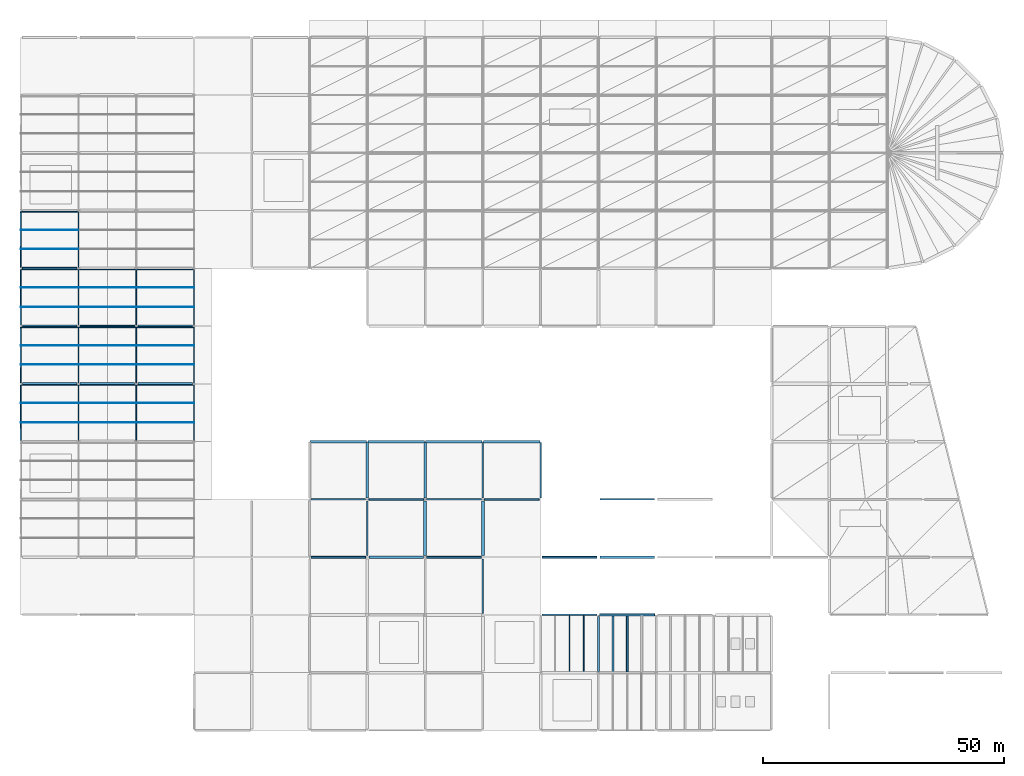
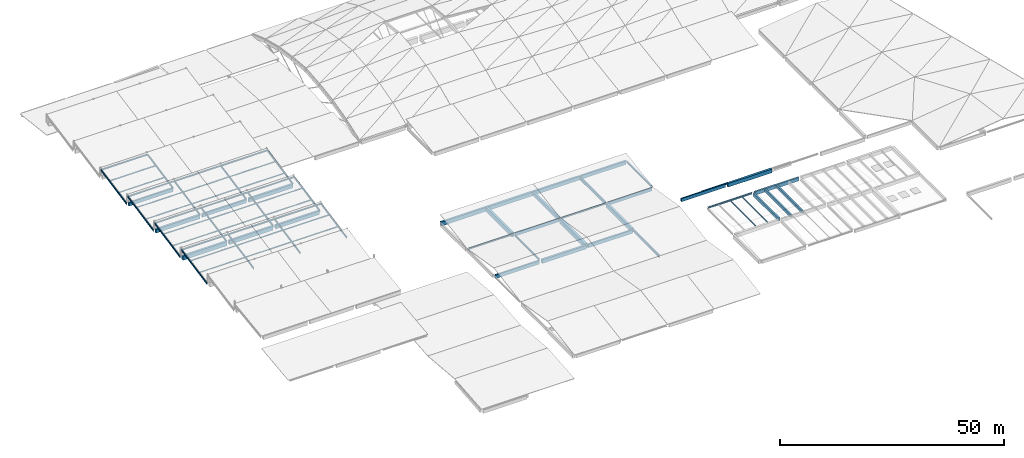
# One storey, part 8 of 23: 60 beams, 20 members.
"""IFC4 building model written with IfcOpenShell, lengths in metres."""

from ifc_helpers import new_model, si_unit, direction, frame, origin, origin_2d, place, context, subcontext, project, spatial, rectangle, i_section, extrude, material, material_profile, profile_set, type_object, element, save


model = new_model("IFC4")

# Units and contexts
model_context = context("Model", 3, precision=1e-05, world=origin(), true_north=direction((0.0, 1.0)))
body_context = subcontext(model_context, "Body", "Model", "MODEL_VIEW")
ifc_project = project(units=[si_unit("LENGTHUNIT", "METRE"), si_unit("AREAUNIT", "SQUARE_METRE"), si_unit("VOLUMEUNIT", "CUBIC_METRE"), si_unit("PLANEANGLEUNIT", "RADIAN"), si_unit("MASSUNIT", "GRAM", prefix="KILO")], contexts=[model_context])

# Site, building, storey
site_placement = place(None, origin())
site = spatial("IfcSite", under=ifc_project, at=site_placement, CompositionType="ELEMENT")
building_placement = place(site_placement, origin())
building = spatial("IfcBuilding", under=site, at=building_placement, Name="Kamomehara Wholesale Market", CompositionType="ELEMENT")
storey_placement = place(building_placement, frame((0.0, 0.0, 21.0)))
storey = spatial("IfcBuildingStorey", under=building, at=storey_placement, Name="RF", CompositionType="ELEMENT", Elevation=21.0)

# Beams
ifc_material_1 = material(Name="Precast concrete Fc45 (C40/50)", Category="concrete")
ifc_material_profile_1 = material_profile(ifc_material_1, rectangle(XDim=0.5, YDim=1.0, at=origin_2d()), Name="PC-GRD-500x1000")
ifc_profile_set_1 = profile_set([ifc_material_profile_1], Name="Precast concrete Fc45 (C40/50)")
beam_type_1 = type_object("IfcBeamType", Name="BM-PG1000", PredefinedType="T_BEAM", material=ifc_profile_set_1)
beam_1_placement = place(storey_placement, frame((84.0, 60.324951171875, -9.699951171875), z_axis=(0.0, 1.0, 0.0), x_axis=(-1.0, 0.0, 0.0)))
element("IfcBeam", 1, at=beam_1_placement, inside=storey, type_object=beam_type_1, Name="Beam PG-09 RF", PredefinedType="T_BEAM", context=body_context, shape_type="SweptSolid", body=[
    extrude(rectangle(XDim=0.5, YDim=1.0, at=origin_2d()), origin(), (0.0, 0.0, 1.0), 11.550048828125),
])
beam_2_placement = place(storey_placement, frame((84.125, 72.0, -9.699951171875), z_axis=(1.0, 0.0, 0.0), x_axis=(0.0, 1.0, 0.0)))
element("IfcBeam", 2, at=beam_2_placement, inside=storey, type_object=beam_type_1, Name="Beam PG-09 RF", PredefinedType="T_BEAM", context=body_context, shape_type="SweptSolid", body=[
    extrude(rectangle(XDim=0.5, YDim=1.0, at=origin_2d()), origin(), (0.0, 0.0, 1.0), 11.75),
])
beam_3_placement = place(storey_placement, frame((24.340087890625, 84.0, -5.300048828125), z_axis=(1.0, 0.0, 0.0), x_axis=(0.0, 1.0, 0.0)))
element("IfcBeam", 3, at=beam_3_placement, inside=storey, type_object=beam_type_1, Name="Beam PG-09 RF", PredefinedType="T_BEAM", context=body_context, shape_type="SweptSolid", body=[
    extrude(rectangle(XDim=0.5, YDim=1.0, at=origin_2d()), origin(), (0.0, 0.0, 1.0), 11.31982421875),
])
ifc_material_2 = material(Name="Precast concrete Fc45 (C40/50)", Category="concrete")
ifc_material_profile_2 = material_profile(ifc_material_2, rectangle(XDim=0.550048828125, YDim=1.050048828125, at=origin_2d()), Name="PC-GRD-550x1050")
ifc_profile_set_2 = profile_set([ifc_material_profile_2], Name="Precast concrete Fc45 (C40/50)")
beam_type_2 = type_object("IfcBeamType", Name="BM-PG1050", PredefinedType="T_BEAM", material=ifc_profile_set_2)
beam_4_placement = place(storey_placement, frame((72.125, 72.0, -9.72509765625), z_axis=(1.0, 0.0, 0.0), x_axis=(0.0, 1.0, 0.0)))
element("IfcBeam", 4, at=beam_4_placement, inside=storey, type_object=beam_type_2, Name="Beam PG-08 RF", PredefinedType="T_BEAM", context=body_context, shape_type="SweptSolid", body=[
    extrude(rectangle(XDim=0.550048828125, YDim=1.050048828125, at=origin_2d()), origin(), (0.0, 0.0, 1.0), 11.75),
])
ifc_material_3 = material(Name="Precast concrete Fc45 (C40/50)", Category="concrete")
ifc_material_profile_3 = material_profile(ifc_material_3, rectangle(XDim=0.52001953125, YDim=1.080078125, at=origin_2d()), Name="PC-GRD-520x1080")
ifc_profile_set_3 = profile_set([ifc_material_profile_3], Name="Precast concrete Fc45 (C40/50)")
beam_type_3 = type_object("IfcBeamType", Name="BM-PG1080", PredefinedType="T_BEAM", material=ifc_profile_set_3)
beam_5_placement = place(storey_placement, frame((60.125, 72.0, -9.739990234375), z_axis=(1.0, 0.0, 0.0), x_axis=(0.0, 1.0, 0.0)))
element("IfcBeam", 5, at=beam_5_placement, inside=storey, type_object=beam_type_3, Name="Beam PG-15 RF", PredefinedType="T_BEAM", context=body_context, shape_type="SweptSolid", body=[
    extrude(rectangle(XDim=0.52001953125, YDim=1.080078125, at=origin_2d()), origin(), (0.0, 0.0, 1.0), 11.75),
])
beam_6_placement = place(storey_placement, frame((12.340087890625, 84.0, -5.340087890625), z_axis=(1.0, 0.0, 0.0), x_axis=(0.0, 1.0, 0.0)))
element("IfcBeam", 6, at=beam_6_placement, inside=storey, type_object=beam_type_3, Name="Beam PG-15 RF", PredefinedType="T_BEAM", context=body_context, shape_type="SweptSolid", body=[
    extrude(rectangle(XDim=0.52001953125, YDim=1.080078125, at=origin_2d()), origin(), (0.0, 0.0, 1.0), 11.31982421875),
])
ifc_material_4 = material(Name="Precast concrete Fc45 (C40/50)", Category="concrete")
ifc_material_profile_4 = material_profile(ifc_material_4, rectangle(XDim=0.60009765625, YDim=1.10009765625, at=origin_2d()), Name="PC-GRD-600x1100")
ifc_profile_set_4 = profile_set([ifc_material_profile_4], Name="Precast concrete Fc45 (C40/50)")
beam_type_4 = type_object("IfcBeamType", Name="BM-PG1100", PredefinedType="T_BEAM", material=ifc_profile_set_4)
beam_7_placement = place(storey_placement, frame((96.0, 48.324951171875, -9.75), z_axis=(0.0, 1.0, 0.0), x_axis=(-1.0, 0.0, 0.0)))
element("IfcBeam", 7, at=beam_7_placement, inside=storey, type_object=beam_type_4, Name="Beam PG-07 RF", PredefinedType="T_BEAM", context=body_context, shape_type="SweptSolid", body=[
    extrude(rectangle(XDim=0.60009765625, YDim=1.10009765625, at=origin_2d()), origin(), (0.0, 0.0, 1.0), 11.35009765625),
])
ifc_material_5 = material(Name="Precast concrete Fc45 (C40/50)", Category="concrete")
ifc_material_profile_5 = material_profile(ifc_material_5, rectangle(XDim=0.550048828125, YDim=1.14990234375, at=origin_2d()), Name="PC-GRD-550x1150")
ifc_profile_set_5 = profile_set([ifc_material_profile_5], Name="Precast concrete Fc45 (C40/50)")
beam_type_5 = type_object("IfcBeamType", Name="BM-PG1150", PredefinedType="T_BEAM", material=ifc_profile_set_5)
beam_8_placement = place(storey_placement, frame((0.340087890625, 84.0, -5.375), z_axis=(1.0, 0.0, 0.0), x_axis=(0.0, 1.0, 0.0)))
element("IfcBeam", 8, at=beam_8_placement, inside=storey, type_object=beam_type_5, Name="Beam PG-06 RF", PredefinedType="T_BEAM", context=body_context, shape_type="SweptSolid", body=[
    extrude(rectangle(XDim=0.550048828125, YDim=1.14990234375, at=origin_2d()), origin(), (0.0, 0.0, 1.0), 11.31982421875),
])
ifc_material_6 = material(Name="Precast concrete Fc45 (C40/50)", Category="concrete")
ifc_material_profile_6 = material_profile(ifc_material_6, rectangle(XDim=0.60009765625, YDim=1.199951171875, at=origin_2d()), Name="PC-GRD-600x1200")
ifc_profile_set_6 = profile_set([ifc_material_profile_6], Name="Precast concrete Fc45 (C40/50)")
beam_type_6 = type_object("IfcBeamType", Name="BM-PG1200", PredefinedType="T_BEAM", material=ifc_profile_set_6)
beam_9_placement = place(storey_placement, frame((72.0, 60.324951171875, -9.800048828125), z_axis=(0.0, 1.0, 0.0), x_axis=(-1.0, 0.0, 0.0)))
element("IfcBeam", 9, at=beam_9_placement, inside=storey, type_object=beam_type_6, Name="Beam PG-05 RF", PredefinedType="T_BEAM", context=body_context, shape_type="SweptSolid", body=[
    extrude(rectangle(XDim=0.60009765625, YDim=1.199951171875, at=origin_2d()), origin(), (0.0, 0.0, 1.0), 11.550048828125),
])
ifc_material_7 = material(Name="Precast concrete Fc45 (C40/50)", Category="concrete")
ifc_material_profile_7 = material_profile(ifc_material_7, rectangle(XDim=0.64990234375, YDim=1.25, at=origin_2d()), Name="PC-GRD-650x1250")
ifc_profile_set_7 = profile_set([ifc_material_profile_7], Name="Precast concrete Fc45 (C40/50)")
beam_type_7 = type_object("IfcBeamType", Name="BM-PG1250", PredefinedType="T_BEAM", material=ifc_profile_set_7)
beam_10_placement = place(storey_placement, frame((84.0, 48.324951171875, -9.824951171875), z_axis=(0.0, 1.0, 0.0), x_axis=(-1.0, 0.0, 0.0)))
element("IfcBeam", 10, at=beam_10_placement, inside=storey, type_object=beam_type_7, Name="Beam PG-04 RF", PredefinedType="T_BEAM", context=body_context, shape_type="SweptSolid", body=[
    extrude(rectangle(XDim=0.64990234375, YDim=1.25, at=origin_2d()), origin(), (0.0, 0.0, 1.0), 11.35009765625),
])
ifc_material_8 = material(Name="Precast concrete Fc45 (C40/50)", Category="concrete")
ifc_material_profile_8 = material_profile(ifc_material_8, rectangle(XDim=0.449951171875, YDim=0.85009765625, at=origin_2d()), Name="PC-GRD-450x850")
ifc_profile_set_8 = profile_set([ifc_material_profile_8], Name="Precast concrete Fc45 (C40/50)")
beam_type_8 = type_object("IfcBeamType", Name="BM-PG850", PredefinedType="T_BEAM", material=ifc_profile_set_8)
beam_11_placement = place(storey_placement, frame((120.0, 24.2900390625, -0.64697265625), z_axis=(0.0, 1.0, 0.0), x_axis=(-1.0, 0.0, 0.0)))
element("IfcBeam", 11, at=beam_11_placement, inside=storey, type_object=beam_type_8, Name="Beam PG-11 RF", PredefinedType="T_BEAM", context=body_context, shape_type="SweptSolid", body=[
    extrude(rectangle(XDim=0.449951171875, YDim=0.85009765625, at=origin_2d()), origin(), (0.0, 0.0, 1.0), 11.419921875),
])
ifc_material_9 = material(Name="Precast concrete Fc45 (C40/50)", Category="concrete")
ifc_material_profile_9 = material_profile(ifc_material_9, rectangle(XDim=0.47998046875, YDim=0.949951171875, at=origin_2d()), Name="PC-GRD-480x950")
ifc_profile_set_9 = profile_set([ifc_material_profile_9], Name="Precast concrete Fc45 (C40/50)")
beam_type_9 = type_object("IfcBeamType", Name="BM-PG950", PredefinedType="T_BEAM", material=ifc_profile_set_9)
beam_12_placement = place(storey_placement, frame((96.125, 72.0, -9.675048828125), z_axis=(1.0, 0.0, 0.0), x_axis=(0.0, 1.0, 0.0)))
element("IfcBeam", 12, at=beam_12_placement, inside=storey, type_object=beam_type_9, Name="Beam PG-16 RF", PredefinedType="T_BEAM", context=body_context, shape_type="SweptSolid", body=[
    extrude(rectangle(XDim=0.47998046875, YDim=0.949951171875, at=origin_2d()), origin(), (0.0, 0.0, 1.0), 11.75),
])
ifc_material_10 = material(Name="Precast concrete Fc45 (C40/50)", Category="concrete")
ifc_material_profile_10 = material_profile(ifc_material_10, rectangle(XDim=0.39990234375, YDim=0.800048828125, at=origin_2d()), Name="PC-JST-400x800")
ifc_profile_set_10 = profile_set([ifc_material_profile_10], Name="Precast concrete Fc45 (C40/50)")
beam_type_10 = type_object("IfcBeamType", Name="BM-PJ800", PredefinedType="JOIST", material=ifc_profile_set_10)
beam_13_placement = place(storey_placement, frame((126.0, 24.199951171875, -0.6220703125), z_axis=(0.0, 1.0, 0.0), x_axis=(-1.0, 0.0, 0.0)))
element("IfcBeam", 13, at=beam_13_placement, inside=storey, type_object=beam_type_10, Name="Beam PJ-01 RF", PredefinedType="JOIST", context=body_context, shape_type="SweptSolid", body=[
    extrude(rectangle(XDim=0.39990234375, YDim=0.800048828125, at=origin_2d()), origin(), (0.0, 0.0, 1.0), 11.60009765625),
])
ifc_material_11 = material(Name="Precast concrete Fc45 (C40/50)", Category="concrete")
ifc_material_profile_11 = material_profile(ifc_material_11, rectangle(XDim=0.419921875, YDim=0.840087890625, at=origin_2d()), Name="PC-JST-420x840")
ifc_profile_set_11 = profile_set([ifc_material_profile_11], Name="Precast concrete Fc45 (C40/50)")
beam_type_11 = type_object("IfcBeamType", Name="BM-PJ840", PredefinedType="JOIST", material=ifc_profile_set_11)
beam_14_placement = place(storey_placement, frame((123.0, 24.199951171875, -0.64208984375), z_axis=(0.0, 1.0, 0.0), x_axis=(-1.0, 0.0, 0.0)))
element("IfcBeam", 14, at=beam_14_placement, inside=storey, type_object=beam_type_11, Name="Beam PJ-07 RF", PredefinedType="JOIST", context=body_context, shape_type="SweptSolid", body=[
    extrude(rectangle(XDim=0.419921875, YDim=0.840087890625, at=origin_2d()), origin(), (0.0, 0.0, 1.0), 11.60009765625),
])
ifc_material_12 = material(Name="Concrete Fc36 (C35/45)", Category="concrete")
ifc_material_profile_12 = material_profile(ifc_material_12, rectangle(XDim=0.550048828125, YDim=1.0, at=origin_2d()), Name="RC-SEB-550x1000")
ifc_profile_set_12 = profile_set([ifc_material_profile_12], Name="Concrete Fc36 (C35/45)")
beam_type_12 = type_object("IfcBeamType", Name="BM-SEB1000-EXT", PredefinedType="SPANDREL", material=ifc_profile_set_12)
for number, where, z_axis, x_axis, name in (
    (15, (72.324951171875, 48.0, -9.699951171875), (1.0, 0.0, 0.0), (0.0, 1.0, 0.0), "Beam SEB-03E RF"),
    (16, (120.324951171875, 48.0, -5.64697265625), (1.0, 0.0, 0.0), (0.0, 1.0, 0.0), "Beam SEB-03E RF"),
):
    element("IfcBeam", number, at=place(storey_placement, frame(where, z_axis=z_axis, x_axis=x_axis)), inside=storey, type_object=beam_type_12, Name=name, PredefinedType="SPANDREL", context=body_context, shape_type="SweptSolid", body=[
        extrude(rectangle(XDim=0.550048828125, YDim=1.0, at=origin_2d()), origin(), (0.0, 0.0, 1.0), 11.35009765625),
    ])
for number, where, z_axis, x_axis, name in (
    (17, (0.340087890625, 96.0, -5.300048828125), (1.0, 0.0, 0.0), (0.0, 1.0, 0.0), "Beam SEB-03E RF"),
    (18, (24.340087890625, 96.0, -5.300048828125), (1.0, 0.0, 0.0), (0.0, 1.0, 0.0), "Beam SEB-03E RF"),
):
    element("IfcBeam", number, at=place(storey_placement, frame(where, z_axis=z_axis, x_axis=x_axis)), inside=storey, type_object=beam_type_12, Name=name, PredefinedType="SPANDREL", context=body_context, shape_type="SweptSolid", body=[
        extrude(rectangle(XDim=0.550048828125, YDim=1.0, at=origin_2d()), origin(), (0.0, 0.0, 1.0), 11.31982421875),
    ])
ifc_material_13 = material(Name="Precast concrete Fc45 (C40/50)", Category="concrete")
ifc_material_profile_13 = material_profile(ifc_material_13, rectangle(XDim=0.35009765625, YDim=0.85009765625, at=origin_2d()), Name="PC-SPN-350x850")
ifc_profile_set_13 = profile_set([ifc_material_profile_13], Name="Precast concrete Fc45 (C40/50)")
beam_type_13 = type_object("IfcBeamType", Name="BM-SPN850-EXT", PredefinedType="SPANDREL", material=ifc_profile_set_13)
for number, where, z_axis, x_axis, name in (
    (19, (72.324951171875, 60.0, -9.625), (1.0, 0.0, 0.0), (0.0, 1.0, 0.0), "Beam SPN-02E RF"),
    (20, (96.324951171875, 60.0, -9.625), (1.0, 0.0, 0.0), (0.0, 1.0, 0.0), "Beam SPN-02E RF"),
    (21, (108.324951171875, 48.0, -5.572021484375), (1.0, 0.0, 0.0), (0.0, 1.0, 0.0), "Beam SPN-02E RF"),
):
    element("IfcBeam", number, at=place(storey_placement, frame(where, z_axis=z_axis, x_axis=x_axis)), inside=storey, type_object=beam_type_13, Name=name, PredefinedType="SPANDREL", context=body_context, shape_type="SweptSolid", body=[
        extrude(rectangle(XDim=0.35009765625, YDim=0.85009765625, at=origin_2d()), origin(), (0.0, 0.0, 1.0), 11.35009765625),
    ])
ifc_material_14 = material(Name="Precast concrete Fc45 (C40/50)", Category="concrete")
ifc_material_profile_14 = material_profile(ifc_material_14, rectangle(XDim=0.39990234375, YDim=0.949951171875, at=origin_2d()), Name="PC-SPN-400x950")
ifc_profile_set_14 = profile_set([ifc_material_profile_14], Name="Precast concrete Fc45 (C40/50)")
beam_type_14 = type_object("IfcBeamType", Name="BM-SPN950-EXT", PredefinedType="SPANDREL", material=ifc_profile_set_14)
for number, where, z_axis, x_axis, name in (
    (22, (60.324951171875, 48.0, -9.675048828125), (1.0, 0.0, 0.0), (0.0, 1.0, 0.0), "Beam SPN-01E RF"),
    (23, (84.324951171875, 48.0, -9.675048828125), (1.0, 0.0, 0.0), (0.0, 1.0, 0.0), "Beam SPN-01E RF"),
):
    element("IfcBeam", number, at=place(storey_placement, frame(where, z_axis=z_axis, x_axis=x_axis)), inside=storey, type_object=beam_type_14, Name=name, PredefinedType="SPANDREL", context=body_context, shape_type="SweptSolid", body=[
        extrude(rectangle(XDim=0.39990234375, YDim=0.949951171875, at=origin_2d()), origin(), (0.0, 0.0, 1.0), 11.35009765625),
    ])
for number, where, z_axis, x_axis, name in (
    (24, (12.340087890625, 96.0, -5.27490234375), (1.0, 0.0, 0.0), (0.0, 1.0, 0.0), "Beam SPN-01E RF"),
    (25, (0.340087890625, 108.0, -5.27490234375), (1.0, 0.0, 0.0), (0.0, 1.0, 0.0), "Beam SPN-01E RF"),
):
    element("IfcBeam", number, at=place(storey_placement, frame(where, z_axis=z_axis, x_axis=x_axis)), inside=storey, type_object=beam_type_14, Name=name, PredefinedType="SPANDREL", context=body_context, shape_type="SweptSolid", body=[
        extrude(rectangle(XDim=0.39990234375, YDim=0.949951171875, at=origin_2d()), origin(), (0.0, 0.0, 1.0), 11.31982421875),
    ])
beam_15_placement = place(storey_placement, frame((120.2900390625, 36.0, -0.697021484375), z_axis=(1.0, 0.0, 0.0), x_axis=(0.0, 1.0, 0.0)))
element("IfcBeam", 26, at=beam_15_placement, inside=storey, type_object=beam_type_14, Name="Beam SPN-01E RF", PredefinedType="SPANDREL", context=body_context, shape_type="SweptSolid", body=[
    extrude(rectangle(XDim=0.39990234375, YDim=0.949951171875, at=origin_2d()), origin(), (0.0, 0.0, 1.0), 11.419921875),
])
ifc_material_15 = material(Name="Steel SN400B", Category="steel")
ifc_material_profile_15 = material_profile(ifc_material_15, i_section(OverallWidth=0.199951171875, OverallDepth=0.2939453125, WebThickness=0.008056640625, FlangeThickness=0.011962890625, FilletRadius=0.012939453125, at=origin_2d()), Name="H-294x200x8x12")
ifc_profile_set_15 = profile_set([ifc_material_profile_15], Name="Steel SN400B")
beam_type_15 = type_object("IfcBeamType", Name="BM-ST-H294", PredefinedType="JOIST", material=ifc_profile_set_15)
beam_16_placement = place(storey_placement, frame((117.0, 24.27490234375, -0.368896484375), z_axis=(0.0, 1.0, 0.0), x_axis=(-1.0, 0.0, 0.0)))
element("IfcBeam", 27, at=beam_16_placement, inside=storey, type_object=beam_type_15, Name="Beam SJ-09 RF", PredefinedType="JOIST", context=body_context, shape_type="SweptSolid", body=[
    extrude(i_section(OverallWidth=0.199951171875, OverallDepth=0.2939453125, WebThickness=0.008056640625, FlangeThickness=0.011962890625, FilletRadius=0.012939453125, at=origin_2d()), origin(), (0.0, 0.0, 1.0), 11.5751953125),
])
ifc_material_16 = material(Name="Steel SN400B", Category="steel")
ifc_material_profile_16 = material_profile(ifc_material_16, i_section(OverallWidth=0.14990234375, OverallDepth=0.300048828125, WebThickness=0.006591796875, FlangeThickness=0.009033203125, FilletRadius=0.012939453125, at=origin_2d()), Name="H-300x150x6.5x9")
ifc_profile_set_16 = profile_set([ifc_material_profile_16], Name="Steel SN400B")
beam_type_16 = type_object("IfcBeamType", Name="BM-ST-H300", PredefinedType="JOIST", material=ifc_profile_set_16)
beam_17_placement = place(storey_placement, frame((0.0, 83.77001953125, -2.9599609375), z_axis=(1.0, 0.0, 0.0), x_axis=(0.0, 1.0, 0.0)))
element("IfcBeam", 28, at=beam_17_placement, inside=storey, type_object=beam_type_16, Name="Monitor steel ridge beam V3 3.1", PredefinedType="JOIST", context=body_context, shape_type="SweptSolid", body=[
    extrude(i_section(OverallWidth=0.14990234375, OverallDepth=0.300048828125, WebThickness=0.006591796875, FlangeThickness=0.009033203125, FilletRadius=0.012939453125, at=origin_2d()), origin(), (0.0, 0.0, 1.0), 11.97998046875),
])
beam_18_placement = place(storey_placement, frame((12.02001953125, 83.77001953125, -2.9599609375), z_axis=(1.0, 0.0, 0.0), x_axis=(0.0, 1.0, 0.0)))
element("IfcBeam", 29, at=beam_18_placement, inside=storey, type_object=beam_type_16, Name="Monitor steel ridge beam V3 3.2", PredefinedType="JOIST", context=body_context, shape_type="SweptSolid", body=[
    extrude(i_section(OverallWidth=0.14990234375, OverallDepth=0.300048828125, WebThickness=0.006591796875, FlangeThickness=0.009033203125, FilletRadius=0.012939453125, at=origin_2d()), origin(), (0.0, 0.0, 1.0), 11.9599609375),
])
for number, where, z_axis, x_axis, name in (
    (30, (24.02001953125, 83.77001953125, -2.9599609375), (1.0, 0.0, 0.0), (0.0, 1.0, 0.0), "Monitor steel ridge beam V3 3.3"),
    (31, (0.0, 95.77001953125, -2.9599609375), (1.0, 0.0, 0.0), (0.0, 1.0, 0.0), "Monitor steel ridge beam V3 4.1"),
):
    element("IfcBeam", number, at=place(storey_placement, frame(where, z_axis=z_axis, x_axis=x_axis)), inside=storey, type_object=beam_type_16, Name=name, PredefinedType="JOIST", context=body_context, shape_type="SweptSolid", body=[
        extrude(i_section(OverallWidth=0.14990234375, OverallDepth=0.300048828125, WebThickness=0.006591796875, FlangeThickness=0.009033203125, FilletRadius=0.012939453125, at=origin_2d()), origin(), (0.0, 0.0, 1.0), 11.97998046875),
    ])
beam_19_placement = place(storey_placement, frame((12.02001953125, 95.77001953125, -2.9599609375), z_axis=(1.0, 0.0, 0.0), x_axis=(0.0, 1.0, 0.0)))
element("IfcBeam", 32, at=beam_19_placement, inside=storey, type_object=beam_type_16, Name="Monitor steel ridge beam V3 4.2", PredefinedType="JOIST", context=body_context, shape_type="SweptSolid", body=[
    extrude(i_section(OverallWidth=0.14990234375, OverallDepth=0.300048828125, WebThickness=0.006591796875, FlangeThickness=0.009033203125, FilletRadius=0.012939453125, at=origin_2d()), origin(), (0.0, 0.0, 1.0), 11.9599609375),
])
for number, where, z_axis, x_axis, name in (
    (33, (24.02001953125, 95.77001953125, -2.9599609375), (1.0, 0.0, 0.0), (0.0, 1.0, 0.0), "Monitor steel ridge beam V3 4.3"),
    (34, (0.0, 107.77001953125, -2.9599609375), (1.0, 0.0, 0.0), (0.0, 1.0, 0.0), "Monitor steel ridge beam V3 5.1"),
):
    element("IfcBeam", number, at=place(storey_placement, frame(where, z_axis=z_axis, x_axis=x_axis)), inside=storey, type_object=beam_type_16, Name=name, PredefinedType="JOIST", context=body_context, shape_type="SweptSolid", body=[
        extrude(i_section(OverallWidth=0.14990234375, OverallDepth=0.300048828125, WebThickness=0.006591796875, FlangeThickness=0.009033203125, FilletRadius=0.012939453125, at=origin_2d()), origin(), (0.0, 0.0, 1.0), 11.97998046875),
    ])
beam_20_placement = place(storey_placement, frame((12.02001953125, 107.77001953125, -2.9599609375), z_axis=(1.0, 0.0, 0.0), x_axis=(0.0, 1.0, 0.0)))
element("IfcBeam", 35, at=beam_20_placement, inside=storey, type_object=beam_type_16, Name="Monitor steel ridge beam V3 5.2", PredefinedType="JOIST", context=body_context, shape_type="SweptSolid", body=[
    extrude(i_section(OverallWidth=0.14990234375, OverallDepth=0.300048828125, WebThickness=0.006591796875, FlangeThickness=0.009033203125, FilletRadius=0.012939453125, at=origin_2d()), origin(), (0.0, 0.0, 1.0), 11.9599609375),
])
for number, where, z_axis, x_axis, name in (
    (36, (24.02001953125, 107.77001953125, -2.9599609375), (1.0, 0.0, 0.0), (0.0, 1.0, 0.0), "Monitor steel ridge beam V3 5.3"),
    (37, (0.0, 119.77001953125, -2.9599609375), (1.0, 0.0, 0.0), (0.0, 1.0, 0.0), "Monitor steel ridge beam V3 6.1"),
):
    element("IfcBeam", number, at=place(storey_placement, frame(where, z_axis=z_axis, x_axis=x_axis)), inside=storey, type_object=beam_type_16, Name=name, PredefinedType="JOIST", context=body_context, shape_type="SweptSolid", body=[
        extrude(i_section(OverallWidth=0.14990234375, OverallDepth=0.300048828125, WebThickness=0.006591796875, FlangeThickness=0.009033203125, FilletRadius=0.012939453125, at=origin_2d()), origin(), (0.0, 0.0, 1.0), 11.97998046875),
    ])
beam_21_placement = place(storey_placement, frame((114.0, 24.27490234375, -0.3720703125), z_axis=(0.0, 1.0, 0.0), x_axis=(-1.0, 0.0, 0.0)))
element("IfcBeam", 38, at=beam_21_placement, inside=storey, type_object=beam_type_16, Name="Beam SJ-05 RF", PredefinedType="JOIST", context=body_context, shape_type="SweptSolid", body=[
    extrude(i_section(OverallWidth=0.14990234375, OverallDepth=0.300048828125, WebThickness=0.006591796875, FlangeThickness=0.009033203125, FilletRadius=0.012939453125, at=origin_2d()), origin(), (0.0, 0.0, 1.0), 11.5751953125),
])
ifc_material_17 = material(Name="Steel SN490B", Category="steel")
ifc_material_profile_17 = material_profile(ifc_material_17, i_section(OverallWidth=0.300048828125, OverallDepth=0.389892578125, WebThickness=0.010009765625, FlangeThickness=0.01611328125, FilletRadius=0.01806640625, at=origin_2d()), Name="H-390x300x10x16")
ifc_profile_set_17 = profile_set([ifc_material_profile_17], Name="Steel SN490B")
beam_type_17 = type_object("IfcBeamType", Name="BM-ST-H390-EXT", PredefinedType="SPANDREL", material=ifc_profile_set_17)
beam_22_placement = place(storey_placement, frame((120.375, 60.0, -14.94189453125), z_axis=(1.0, 0.0, 0.0), x_axis=(0.0, 1.0, 0.0)))
element("IfcBeam", 39, at=beam_22_placement, inside=storey, type_object=beam_type_17, Name="Beam SJ-03E RF", PredefinedType="SPANDREL", context=body_context, shape_type="SweptSolid", body=[
    extrude(i_section(OverallWidth=0.300048828125, OverallDepth=0.389892578125, WebThickness=0.010009765625, FlangeThickness=0.01611328125, FilletRadius=0.01806640625, at=origin_2d()), origin(), (0.0, 0.0, 1.0), 11.25),
])
for number, where, z_axis, x_axis, name in (
    (40, (60.324951171875, 60.0, -9.39501953125), (1.0, 0.0, 0.0), (0.0, 1.0, 0.0), "Beam SJ-03E RF"),
    (41, (84.324951171875, 60.0, -9.39501953125), (1.0, 0.0, 0.0), (0.0, 1.0, 0.0), "Beam SJ-03E RF"),
):
    element("IfcBeam", number, at=place(storey_placement, frame(where, z_axis=z_axis, x_axis=x_axis)), inside=storey, type_object=beam_type_17, Name=name, PredefinedType="SPANDREL", context=body_context, shape_type="SweptSolid", body=[
        extrude(i_section(OverallWidth=0.300048828125, OverallDepth=0.389892578125, WebThickness=0.010009765625, FlangeThickness=0.01611328125, FilletRadius=0.01806640625, at=origin_2d()), origin(), (0.0, 0.0, 1.0), 11.35009765625),
    ])
beam_23_placement = place(storey_placement, frame((108.0, 60.324951171875, -9.39501953125), z_axis=(0.0, 1.0, 0.0), x_axis=(-1.0, 0.0, 0.0)))
element("IfcBeam", 42, at=beam_23_placement, inside=storey, type_object=beam_type_17, Name="Beam SJ-03E RF", PredefinedType="SPANDREL", context=body_context, shape_type="SweptSolid", body=[
    extrude(i_section(OverallWidth=0.300048828125, OverallDepth=0.389892578125, WebThickness=0.010009765625, FlangeThickness=0.01611328125, FilletRadius=0.01806640625, at=origin_2d()), origin(), (0.0, 0.0, 1.0), 11.550048828125),
])
beam_24_placement = place(storey_placement, frame((108.2900390625, 36.0, -0.4169921875), z_axis=(1.0, 0.0, 0.0), x_axis=(0.0, 1.0, 0.0)))
element("IfcBeam", 43, at=beam_24_placement, inside=storey, type_object=beam_type_17, Name="Beam SJ-03E RF", PredefinedType="SPANDREL", context=body_context, shape_type="SweptSolid", body=[
    extrude(i_section(OverallWidth=0.300048828125, OverallDepth=0.389892578125, WebThickness=0.010009765625, FlangeThickness=0.01611328125, FilletRadius=0.01806640625, at=origin_2d()), origin(), (0.0, 0.0, 1.0), 11.419921875),
])
ifc_material_18 = material(Name="Steel SN490B", Category="steel")
ifc_material_profile_18 = material_profile(ifc_material_18, i_section(OverallWidth=0.300048828125, OverallDepth=0.43994140625, WebThickness=0.010986328125, FlangeThickness=0.01806640625, FilletRadius=0.01806640625, at=origin_2d()), Name="H-440x300x11x18")
ifc_profile_set_18 = profile_set([ifc_material_profile_18], Name="Steel SN490B")
beam_type_18 = type_object("IfcBeamType", Name="BM-ST-H440", PredefinedType="BEAM", material=ifc_profile_set_18)
beam_25_placement = place(storey_placement, frame((72.0, 48.324951171875, -9.419921875), z_axis=(0.0, 1.0, 0.0), x_axis=(-1.0, 0.0, 0.0)))
element("IfcBeam", 44, at=beam_25_placement, inside=storey, type_object=beam_type_18, Name="Beam SG-11 RF", PredefinedType="BEAM", context=body_context, shape_type="SweptSolid", body=[
    extrude(i_section(OverallWidth=0.300048828125, OverallDepth=0.43994140625, WebThickness=0.010986328125, FlangeThickness=0.01806640625, FilletRadius=0.01806640625, at=origin_2d()), origin(), (0.0, 0.0, 1.0), 11.35009765625),
])
ifc_material_19 = material(Name="Steel SN490B", Category="steel")
ifc_material_profile_19 = material_profile(ifc_material_19, i_section(OverallWidth=0.199951171875, OverallDepth=0.5, WebThickness=0.010009765625, FlangeThickness=0.01611328125, FilletRadius=0.012939453125, at=origin_2d()), Name="H-500x200x10x16")
ifc_profile_set_19 = profile_set([ifc_material_profile_19], Name="Steel SN490B")
beam_type_19 = type_object("IfcBeamType", Name="BM-ST-H500", PredefinedType="BEAM", material=ifc_profile_set_19)
for number, where, z_axis, x_axis, name in (
    (45, (0.0, 72.199951171875, -5.260009765625), (0.0, 0.980514052437, 0.19644895768), (-1.0, 0.0, 0.0), "Monitor steel rafter V3 3.0"),
    (46, (12.0, 72.199951171875, -5.260009765625), (0.0, 0.980514052437, 0.19644895768), (-1.0, 0.0, 0.0), "Monitor steel rafter V3 3.12"),
    (47, (24.0, 72.199951171875, -5.260009765625), (0.0, 0.980514052437, 0.19644895768), (-1.0, 0.0, 0.0), "Monitor steel rafter V3 3.24"),
    (48, (36.0, 72.199951171875, -5.260009765625), (0.0, 0.980514052437, 0.19644895768), (-1.0, 0.0, 0.0), "Monitor steel rafter V3 3.36"),
    (49, (0.0, 84.199951171875, -5.260009765625), (0.0, 0.980514052437, 0.19644895768), (-1.0, 0.0, 0.0), "Monitor steel rafter V3 4.0"),
    (50, (12.0, 84.199951171875, -5.260009765625), (0.0, 0.980514052437, 0.19644895768), (-1.0, 0.0, 0.0), "Monitor steel rafter V3 4.12"),
    (51, (24.0, 84.199951171875, -5.260009765625), (0.0, 0.980514052437, 0.19644895768), (-1.0, 0.0, 0.0), "Monitor steel rafter V3 4.24"),
    (52, (36.0, 84.199951171875, -5.260009765625), (0.0, 0.980514052437, 0.19644895768), (-1.0, 0.0, 0.0), "Monitor steel rafter V3 4.36"),
    (53, (0.0, 96.199951171875, -5.260009765625), (0.0, 0.980514052437, 0.19644895768), (-1.0, 0.0, 0.0), "Monitor steel rafter V3 5.0"),
    (54, (12.0, 96.199951171875, -5.260009765625), (0.0, 0.980514052437, 0.19644895768), (-1.0, 0.0, 0.0), "Monitor steel rafter V3 5.12"),
    (55, (24.0, 96.199951171875, -5.260009765625), (0.0, 0.980514052437, 0.19644895768), (-1.0, 0.0, 0.0), "Monitor steel rafter V3 5.24"),
    (56, (36.0, 96.199951171875, -5.260009765625), (0.0, 0.980514052437, 0.19644895768), (-1.0, 0.0, 0.0), "Monitor steel rafter V3 5.36"),
    (57, (0.0, 108.199951171875, -5.260009765625), (0.0, 0.980514052437, 0.19644895768), (-1.0, 0.0, 0.0), "Monitor steel rafter V3 6.0"),
    (58, (12.0, 108.199951171875, -5.260009765625), (0.0, 0.980514052437, 0.19644895768), (-1.0, 0.0, 0.0), "Monitor steel rafter V3 6.12"),
):
    element("IfcBeam", number, at=place(storey_placement, frame(where, z_axis=z_axis, x_axis=x_axis)), inside=storey, type_object=beam_type_19, Name=name, PredefinedType="BEAM", context=body_context, shape_type="SweptSolid", body=[
        extrude(i_section(OverallWidth=0.199951171875, OverallDepth=0.5, WebThickness=0.010009765625, FlangeThickness=0.01611328125, FilletRadius=0.012939453125, at=origin_2d()), origin(), (0.0, 0.0, 1.0), 11.7080078125),
    ])
ifc_material_20 = material(Name="Steel SN490B", Category="steel")
ifc_material_profile_20 = material_profile(ifc_material_20, i_section(OverallWidth=0.300048828125, OverallDepth=0.699951171875, WebThickness=0.012939453125, FlangeThickness=0.02392578125, FilletRadius=0.02197265625, at=origin_2d()), Name="H-700x300x13x24")
ifc_profile_set_20 = profile_set([ifc_material_profile_20], Name="Steel SN490B")
beam_type_20 = type_object("IfcBeamType", Name="BM-ST-H700", PredefinedType="BEAM", material=ifc_profile_set_20)
beam_26_placement = place(storey_placement, frame((96.0, 36.324951171875, -9.550048828125), z_axis=(0.0, 1.0, 0.0), x_axis=(-1.0, 0.0, 0.0)))
element("IfcBeam", 59, at=beam_26_placement, inside=storey, type_object=beam_type_20, Name="Beam SG-03 RF", PredefinedType="BEAM", context=body_context, shape_type="SweptSolid", body=[
    extrude(i_section(OverallWidth=0.300048828125, OverallDepth=0.699951171875, WebThickness=0.012939453125, FlangeThickness=0.02392578125, FilletRadius=0.02197265625, at=origin_2d()), origin(), (0.0, 0.0, 1.0), 11.35009765625),
])
ifc_material_21 = material(Name="Steel SN490B", Category="steel")
ifc_material_profile_21 = material_profile(ifc_material_21, i_section(OverallWidth=0.300048828125, OverallDepth=0.89990234375, WebThickness=0.01611328125, FlangeThickness=0.028076171875, FilletRadius=0.02392578125, at=origin_2d()), Name="H-900x300x16x28")
ifc_profile_set_21 = profile_set([ifc_material_profile_21], Name="Steel SN490B")
beam_type_21 = type_object("IfcBeamType", Name="BM-ST-H900", PredefinedType="BEAM", material=ifc_profile_set_21)
beam_27_placement = place(storey_placement, frame((96.0, 60.324951171875, -9.64990234375), z_axis=(0.0, 1.0, 0.0), x_axis=(-1.0, 0.0, 0.0)))
element("IfcBeam", 60, at=beam_27_placement, inside=storey, type_object=beam_type_21, Name="Beam SG-01 RF", PredefinedType="BEAM", context=body_context, shape_type="SweptSolid", body=[
    extrude(i_section(OverallWidth=0.300048828125, OverallDepth=0.89990234375, WebThickness=0.01611328125, FlangeThickness=0.028076171875, FilletRadius=0.02392578125, at=origin_2d()), origin(), (0.0, 0.0, 1.0), 11.550048828125),
])

# Members
ifc_material_22 = material(Name="Steel SN400B", Category="steel")
ifc_material_profile_22 = material_profile(ifc_material_22, i_section(OverallWidth=0.10009765625, OverallDepth=0.199951171875, WebThickness=0.005615234375, FlangeThickness=0.008056640625, FilletRadius=0.008056640625, at=origin_2d()), Name="H-200x100x5.5x8")
ifc_profile_set_22 = profile_set([ifc_material_profile_22], Name="Steel SN400B")
member_type = type_object("IfcMemberType", Name="MEM-PR-H200", PredefinedType="PURLIN", material=ifc_profile_set_22)
for number, where, z_axis, x_axis, name in (
    (61, (0.0, 76.0, -4.472900390625), (1.0, 0.0, 0.0), (0.0, 1.0, 0.0), "Monitor steel purlin V3 3.1.0"),
    (62, (12.0, 76.0, -4.472900390625), (1.0, 0.0, 0.0), (0.0, 1.0, 0.0), "Monitor steel purlin V3 3.1.12"),
    (63, (24.0, 76.0, -4.472900390625), (1.0, 0.0, 0.0), (0.0, 1.0, 0.0), "Monitor steel purlin V3 3.1.24"),
    (64, (0.0, 80.0, -3.70703125), (1.0, 0.0, 0.0), (0.0, 1.0, 0.0), "Monitor steel purlin V3 3.2.0"),
    (65, (12.0, 80.0, -3.70703125), (1.0, 0.0, 0.0), (0.0, 1.0, 0.0), "Monitor steel purlin V3 3.2.12"),
    (66, (24.0, 80.0, -3.70703125), (1.0, 0.0, 0.0), (0.0, 1.0, 0.0), "Monitor steel purlin V3 3.2.24"),
    (67, (0.0, 88.0, -4.472900390625), (1.0, 0.0, 0.0), (0.0, 1.0, 0.0), "Monitor steel purlin V3 4.1.0"),
    (68, (12.0, 88.0, -4.472900390625), (1.0, 0.0, 0.0), (0.0, 1.0, 0.0), "Monitor steel purlin V3 4.1.12"),
    (69, (24.0, 88.0, -4.472900390625), (1.0, 0.0, 0.0), (0.0, 1.0, 0.0), "Monitor steel purlin V3 4.1.24"),
    (70, (0.0, 92.0, -3.70703125), (1.0, 0.0, 0.0), (0.0, 1.0, 0.0), "Monitor steel purlin V3 4.2.0"),
    (71, (12.0, 92.0, -3.70703125), (1.0, 0.0, 0.0), (0.0, 1.0, 0.0), "Monitor steel purlin V3 4.2.12"),
    (72, (24.0, 92.0, -3.70703125), (1.0, 0.0, 0.0), (0.0, 1.0, 0.0), "Monitor steel purlin V3 4.2.24"),
    (73, (0.0, 100.0, -4.472900390625), (1.0, 0.0, 0.0), (0.0, 1.0, 0.0), "Monitor steel purlin V3 5.1.0"),
    (74, (12.0, 100.0, -4.472900390625), (1.0, 0.0, 0.0), (0.0, 1.0, 0.0), "Monitor steel purlin V3 5.1.12"),
    (75, (24.0, 100.0, -4.472900390625), (1.0, 0.0, 0.0), (0.0, 1.0, 0.0), "Monitor steel purlin V3 5.1.24"),
    (76, (0.0, 104.0, -3.70703125), (1.0, 0.0, 0.0), (0.0, 1.0, 0.0), "Monitor steel purlin V3 5.2.0"),
    (77, (12.0, 104.0, -3.70703125), (1.0, 0.0, 0.0), (0.0, 1.0, 0.0), "Monitor steel purlin V3 5.2.12"),
    (78, (24.0, 104.0, -3.70703125), (1.0, 0.0, 0.0), (0.0, 1.0, 0.0), "Monitor steel purlin V3 5.2.24"),
    (79, (0.0, 112.0, -4.472900390625), (1.0, 0.0, 0.0), (0.0, 1.0, 0.0), "Monitor steel purlin V3 6.1.0"),
    (80, (0.0, 116.0, -3.70703125), (1.0, 0.0, 0.0), (0.0, 1.0, 0.0), "Monitor steel purlin V3 6.2.0"),
):
    element("IfcMember", number, at=place(storey_placement, frame(where, z_axis=z_axis, x_axis=x_axis)), inside=storey, type_object=member_type, Name=name, PredefinedType="PURLIN", context=body_context, shape_type="SweptSolid", body=[
        extrude(i_section(OverallWidth=0.10009765625, OverallDepth=0.199951171875, WebThickness=0.005615234375, FlangeThickness=0.008056640625, FilletRadius=0.008056640625, at=origin_2d()), origin(), (0.0, 0.0, 1.0), 12.0),
    ])

save(model, "model.ifc")
